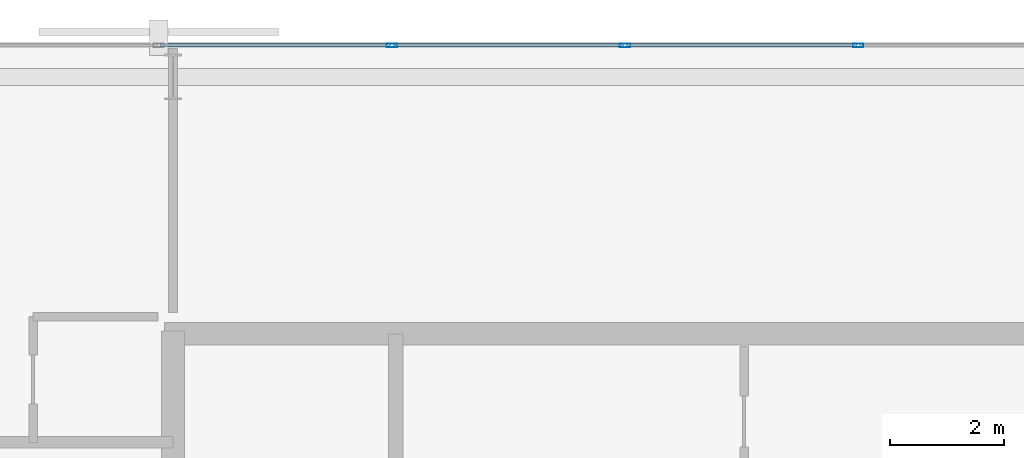
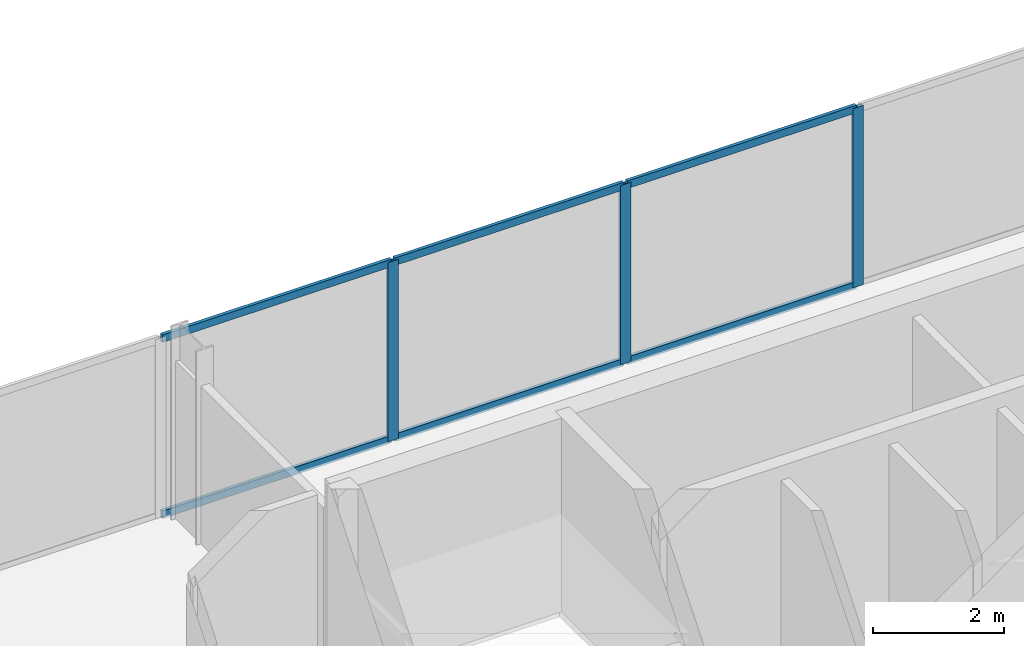
# One storey, part 23 of 33: 9 members, 1 element without a shape of its own.
"""IFC4 building model written with IfcOpenShell, lengths in metres."""

from ifc_helpers import new_model, si_unit, direction, frame, origin, origin_2d, place, context, subcontext, project, spatial, hollow_rectangle, extrude, material, layer, layer_set, material_profile, profile_set, type_object, element, aggregate, save


model = new_model("IFC4")

# Units and contexts
model_context = context("Model", 3, precision=1e-05, world=origin(), true_north=direction((0.0, 1.0)))
body_context = subcontext(model_context, "Body", "Model", "MODEL_VIEW")
ifc_project = project(units=[si_unit("LENGTHUNIT", "METRE"), si_unit("AREAUNIT", "SQUARE_METRE"), si_unit("VOLUMEUNIT", "CUBIC_METRE"), si_unit("PLANEANGLEUNIT", "RADIAN"), si_unit("MASSUNIT", "GRAM", prefix="KILO")], contexts=[model_context])

# Site, building, storey
site_placement = place(None, origin())
site = spatial("IfcSite", under=ifc_project, at=site_placement, CompositionType="ELEMENT")
building_placement = place(site_placement, origin())
building = spatial("IfcBuilding", under=site, at=building_placement, Name="Catumbela Crestline Tower", CompositionType="ELEMENT")
storey_placement = place(building_placement, frame((0.0, 0.0, 54.6)))
storey = spatial("IfcBuildingStorey", under=building, at=storey_placement, Name="L13", CompositionType="ELEMENT", Elevation=54.6)

# Curtain wall, members
ifc_material = material(Name="Aluminium alloy AW-6060-T66", Category="aluminium")
ifc_layer = layer(ifc_material, 0.18, Name="Aluminium alloy AW-6060-T66")
ifc_layer_set = layer_set([ifc_layer], Name="Aluminium alloy AW-6060-T66")
curtain_wall_type = type_object("IfcCurtainWallType", Name="CWU-Z1", PredefinedType="USERDEFINED", material=ifc_layer_set)
curtain_wall_placement = place(storey_placement, origin())
curtain_wall = element("IfcCurtainWall", 1, at=curtain_wall_placement, inside=storey, type_object=curtain_wall_type, Name="L13 Unitised Curtain Wall CW-L13-E7S1", ObjectType="UNITISED", PredefinedType="USERDEFINED")
ifc_material_profile_1 = material_profile(ifc_material, hollow_rectangle(XDim=0.065, YDim=0.18, WallThickness=0.004, at=origin_2d()), Name="ALU 180x65x4")
ifc_profile_set_1 = profile_set([ifc_material_profile_1], Name="Aluminium alloy AW-6060-T66")
member_type_1 = type_object("IfcMemberType", Name="MUL-180X65", PredefinedType="MULLION", material=ifc_profile_set_1)
member_1_placement = place(storey_placement, frame((28.0, 47.95, 0.0), z_axis=(0.0, 0.0, 1.0), x_axis=(0.0, -1.0, 0.0)))
member_1 = element("IfcMember", 2, at=member_1_placement, type_object=member_type_1, Name="CWU-Z1 mullion 7", PredefinedType="MULLION", context=body_context, shape_type="SweptSolid", body=[
    extrude(hollow_rectangle(XDim=0.065, YDim=0.18, WallThickness=0.004, at=origin_2d()), origin(), (0.0, 0.0, 1.0), 3.33),
])
member_2_placement = place(storey_placement, frame((23.9167, 47.95, 0.0), z_axis=(0.0, 0.0, 1.0), x_axis=(0.0, -1.0, 0.0)))
member_2 = element("IfcMember", 3, at=member_2_placement, type_object=member_type_1, Name="CWU-Z1 mullion 8", PredefinedType="MULLION", context=body_context, shape_type="SweptSolid", body=[
    extrude(hollow_rectangle(XDim=0.065, YDim=0.18, WallThickness=0.004, at=origin_2d()), origin(), (0.0, 0.0, 1.0), 3.33),
])
member_3_placement = place(storey_placement, frame((19.8333, 47.95, 0.0), z_axis=(0.0, 0.0, 1.0), x_axis=(0.0, -1.0, 0.0)))
member_3 = element("IfcMember", 4, at=member_3_placement, type_object=member_type_1, Name="CWU-Z1 mullion 9", PredefinedType="MULLION", context=body_context, shape_type="SweptSolid", body=[
    extrude(hollow_rectangle(XDim=0.065, YDim=0.18, WallThickness=0.004, at=origin_2d()), origin(), (0.0, 0.0, 1.0), 3.33),
])
ifc_material_profile_2 = material_profile(ifc_material, hollow_rectangle(XDim=0.06, YDim=0.14, WallThickness=0.004, at=origin_2d()), Name="ALU 140x60x4")
ifc_profile_set_2 = profile_set([ifc_material_profile_2], Name="Aluminium alloy AW-6060-T66")
member_type_2 = type_object("IfcMemberType", Name="TRN-140X60", PredefinedType="USERDEFINED", material=ifc_profile_set_2)
member_4_placement = place(storey_placement, frame((27.9675, 47.95, 0.03), z_axis=(-1.0, 0.0, 0.0), x_axis=(0.0, -1.0, 0.0)))
member_4 = element("IfcMember", 5, at=member_4_placement, type_object=member_type_2, Name="CWU-Z1 transom 7.1", ObjectType="TRANSOM", PredefinedType="USERDEFINED", context=body_context, shape_type="SweptSolid", body=[
    extrude(hollow_rectangle(XDim=0.06, YDim=0.14, WallThickness=0.004, at=origin_2d()), origin(), (0.0, 0.0, 1.0), 4.0183),
])
member_5_placement = place(storey_placement, frame((27.9675, 47.95, 3.3), z_axis=(-1.0, 0.0, 0.0), x_axis=(0.0, -1.0, 0.0)))
member_5 = element("IfcMember", 6, at=member_5_placement, type_object=member_type_2, Name="CWU-Z1 transom 7.2", ObjectType="TRANSOM", PredefinedType="USERDEFINED", context=body_context, shape_type="SweptSolid", body=[
    extrude(hollow_rectangle(XDim=0.06, YDim=0.14, WallThickness=0.004, at=origin_2d()), origin(), (0.0, 0.0, 1.0), 4.0183),
])
member_6_placement = place(storey_placement, frame((23.8842, 47.95, 0.03), z_axis=(-1.0, 0.0, 0.0), x_axis=(0.0, -1.0, 0.0)))
member_6 = element("IfcMember", 7, at=member_6_placement, type_object=member_type_2, Name="CWU-Z1 transom 8.1", ObjectType="TRANSOM", PredefinedType="USERDEFINED", context=body_context, shape_type="SweptSolid", body=[
    extrude(hollow_rectangle(XDim=0.06, YDim=0.14, WallThickness=0.004, at=origin_2d()), origin(), (0.0, 0.0, 1.0), 4.0184),
])
member_7_placement = place(storey_placement, frame((23.8842, 47.95, 3.3), z_axis=(-1.0, 0.0, 0.0), x_axis=(0.0, -1.0, 0.0)))
member_7 = element("IfcMember", 8, at=member_7_placement, type_object=member_type_2, Name="CWU-Z1 transom 8.2", ObjectType="TRANSOM", PredefinedType="USERDEFINED", context=body_context, shape_type="SweptSolid", body=[
    extrude(hollow_rectangle(XDim=0.06, YDim=0.14, WallThickness=0.004, at=origin_2d()), origin(), (0.0, 0.0, 1.0), 4.0184),
])
member_8_placement = place(storey_placement, frame((19.8008, 47.95, 0.03), z_axis=(-1.0, 0.0, 0.0), x_axis=(0.0, -1.0, 0.0)))
member_8 = element("IfcMember", 9, at=member_8_placement, type_object=member_type_2, Name="CWU-Z1 transom 9.1", ObjectType="TRANSOM", PredefinedType="USERDEFINED", context=body_context, shape_type="SweptSolid", body=[
    extrude(hollow_rectangle(XDim=0.06, YDim=0.14, WallThickness=0.004, at=origin_2d()), origin(), (0.0, 0.0, 1.0), 4.0183),
])
member_9_placement = place(storey_placement, frame((19.8008, 47.95, 3.3), z_axis=(-1.0, 0.0, 0.0), x_axis=(0.0, -1.0, 0.0)))
member_9 = element("IfcMember", 10, at=member_9_placement, type_object=member_type_2, Name="CWU-Z1 transom 9.2", ObjectType="TRANSOM", PredefinedType="USERDEFINED", context=body_context, shape_type="SweptSolid", body=[
    extrude(hollow_rectangle(XDim=0.06, YDim=0.14, WallThickness=0.004, at=origin_2d()), origin(), (0.0, 0.0, 1.0), 4.0183),
])
aggregate(curtain_wall, [member_1, member_2, member_3, member_4, member_5, member_6, member_7, member_8, member_9])

save(model, "model.ifc")
